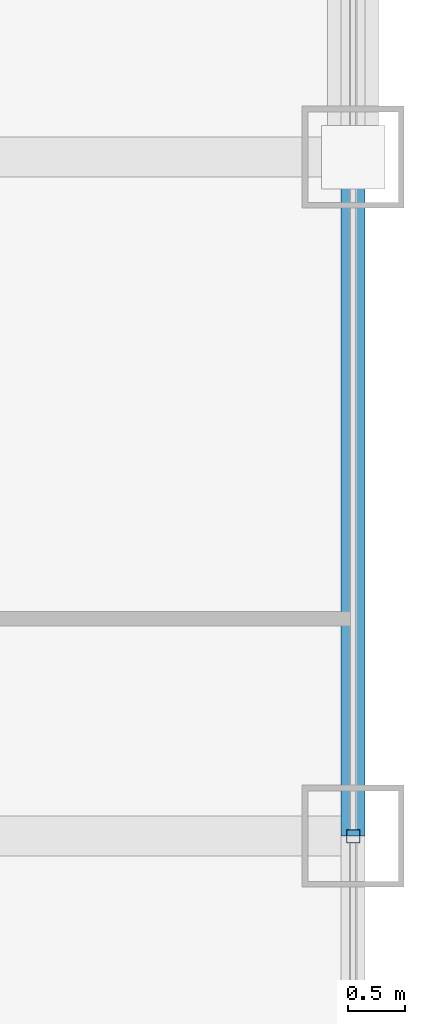
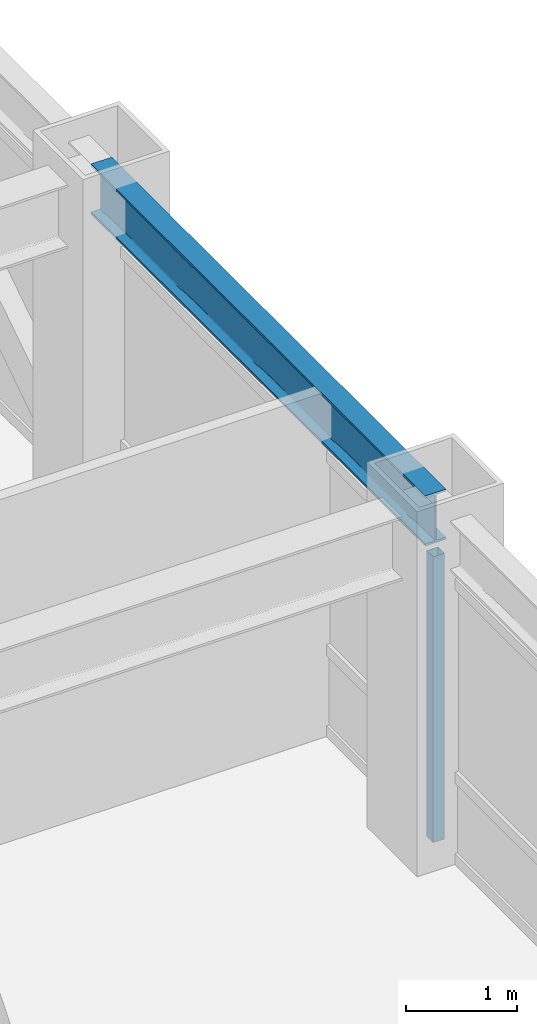
# One storey, part 10 of 27: 1 beam, 1 member, 1 element without a shape of its own.
"""IFC4 building model written with IfcOpenShell, lengths in metres."""

from ifc_helpers import new_model, si_unit, direction, frame, origin, origin_2d, place, context, subcontext, project, spatial, hollow_rectangle, i_section, extrude, source, transform, mapped, material, material_profile, profile_set, type_object, element, aggregate, save


model = new_model("IFC4")

# Units and contexts
model_context = context("Model", 3, precision=1e-05, world=origin(), true_north=direction((0.0, 1.0)))
body_context = subcontext(model_context, "Body", "Model", "MODEL_VIEW")
ifc_project = project(units=[si_unit("LENGTHUNIT", "METRE"), si_unit("AREAUNIT", "SQUARE_METRE"), si_unit("VOLUMEUNIT", "CUBIC_METRE"), si_unit("PLANEANGLEUNIT", "RADIAN"), si_unit("MASSUNIT", "GRAM", prefix="KILO")], contexts=[model_context])

# Site, building, storey
site_placement = place(None, origin())
site = spatial("IfcSite", under=ifc_project, at=site_placement, CompositionType="ELEMENT")
building_placement = place(site_placement, origin())
building = spatial("IfcBuilding", under=site, at=building_placement, Name="Khorayat Bourse Tower", CompositionType="ELEMENT")
storey_placement = place(building_placement, frame((0.0, 0.0, 317.5)))
storey = spatial("IfcBuildingStorey", under=building, at=storey_placement, Name="L75", CompositionType="ELEMENT", Elevation=317.5)

# Beam
ifc_material_1 = material(Name="Steel ASTM A992 Grade 50", Category="steel")
ifc_material_profile_1 = material_profile(ifc_material_1, i_section(OverallWidth=0.214111328125, OverallDepth=0.549072265625, WebThickness=0.0146484375, FlangeThickness=0.023681640625, FilletRadius=0.013916015625, at=origin_2d()), Name="W530X138")
ifc_profile_set_1 = profile_set([ifc_material_profile_1], Name="Steel ASTM A992 Grade 50")
beam_type = type_object("IfcBeamType", Name="BM-SPAN-530", PredefinedType="SPANDREL", material=ifc_profile_set_1)
shared_shape_1 = source(origin(), body_context, "Body", "SweptSolid", [
    extrude(i_section(OverallWidth=0.214111328125, OverallDepth=0.549072265625, WebThickness=0.0146484375, FlangeThickness=0.023681640625, FilletRadius=0.013916015625, at=origin_2d()), origin(), (0.0, 0.0, 1.0), 6.0),
])
beam_placement = place(storey_placement, frame((28.0, 0.0, 3.505615234375), z_axis=(0.0, 1.0, 0.0), x_axis=(-1.0, 0.0, 0.0)))
element("IfcBeam", 1, at=beam_placement, inside=storey, type_object=beam_type, Name="L75 BM-SPAN-530 BM-L75-SPN-038", PredefinedType="SPANDREL", context=body_context, shape_type="MappedRepresentation", body=[
    mapped(shared_shape_1, transform((0.0, 0.0, 0.0), scale=1.0)),
])

# Curtain wall, member
ifc_material_2 = material(Name="Aluminium EN AW-6063 T6", Category="aluminium")
curtain_wall_type = type_object("IfcCurtainWallType", Name="CW-SYS-04", PredefinedType="NOTDEFINED", material=ifc_material_2)
curtain_wall_placement = place(storey_placement, origin())
curtain_wall = element("IfcCurtainWall", 2, at=curtain_wall_placement, inside=storey, type_object=curtain_wall_type, Name="L75 Curtain Wall CW-L75-E1", PredefinedType="NOTDEFINED")
ifc_material_profile_2 = material_profile(ifc_material_2, hollow_rectangle(XDim=0.1201171875, YDim=0.1201171875, WallThickness=0.0048828125, at=origin_2d()), Name="ALU 120x120x5")
ifc_profile_set_2 = profile_set([ifc_material_profile_2], Name="Aluminium EN AW-6063 T6")
member_type = type_object("IfcMemberType", Name="CWM-VERT-120", PredefinedType="MULLION", material=ifc_profile_set_2)
shared_shape_2 = source(origin(), body_context, "Body", "SweptSolid", [
    extrude(hollow_rectangle(XDim=0.1201171875, YDim=0.1201171875, WallThickness=0.0048828125, at=origin_2d()), origin(), (0.0, 0.0, 1.0), 3.1298828125),
])
member_placement = place(storey_placement, frame((28.0, 0.0, 0.0), z_axis=(0.0, 0.0, 1.0), x_axis=(-1.0, 0.0, 0.0)))
member = element("IfcMember", 3, at=member_placement, type_object=member_type, Name="CW-L75-E1 Vertical Mullion 2", PredefinedType="MULLION", context=body_context, shape_type="MappedRepresentation", body=[
    mapped(shared_shape_2, transform((0.0, 0.0, 0.0), scale=1.0)),
])
aggregate(curtain_wall, [member])

save(model, "model.ifc")
